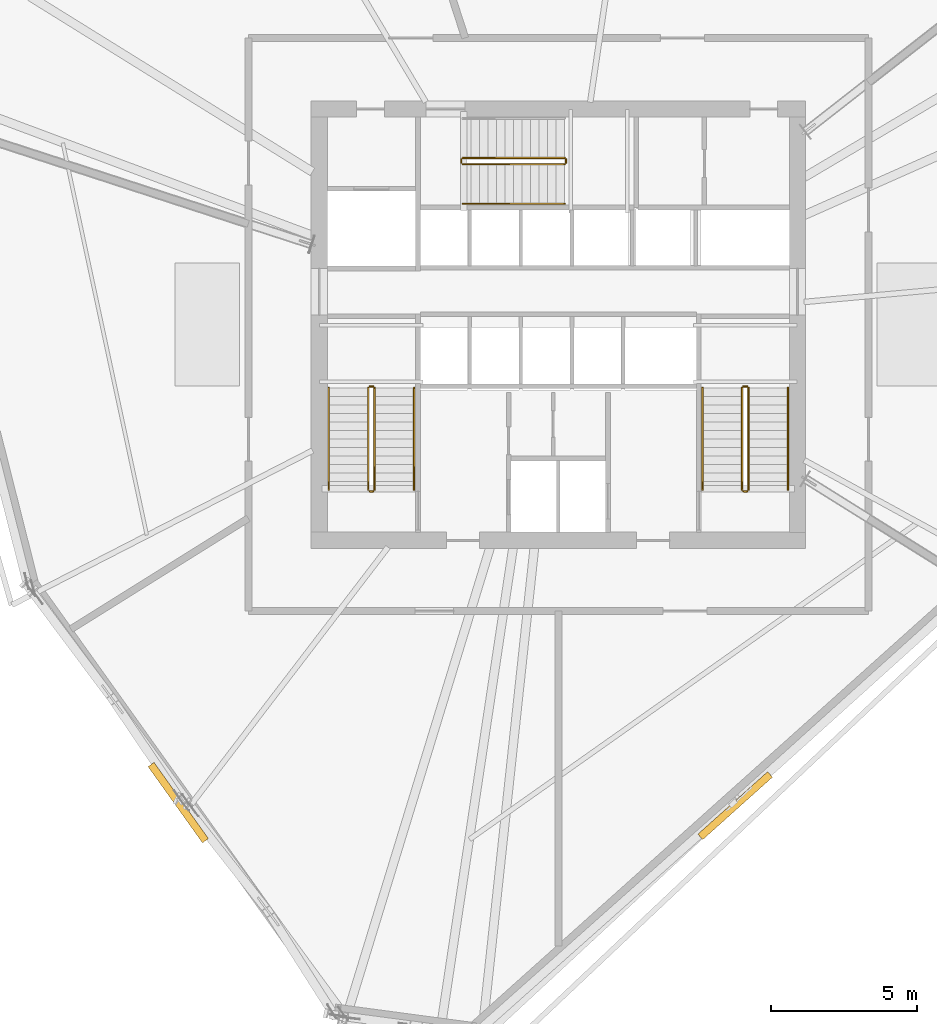
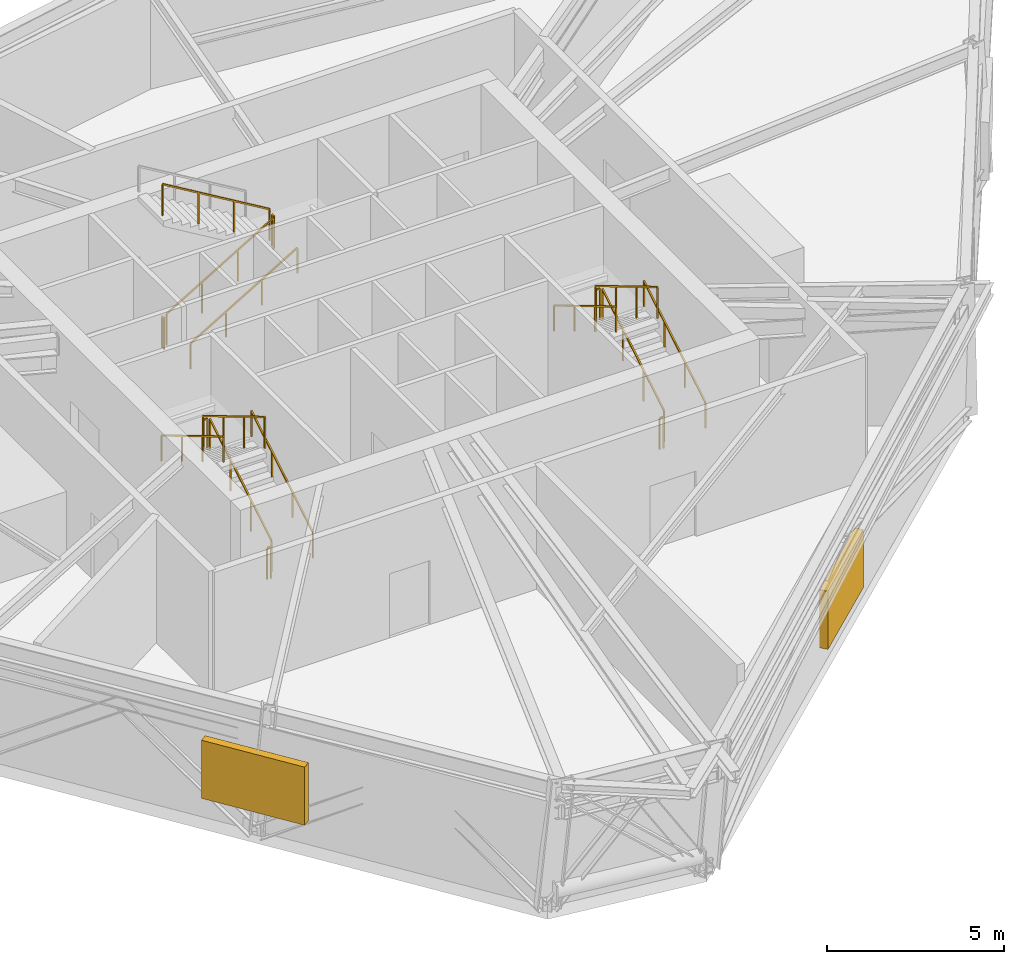
# One storey, part 12 of 14: 17 railings, 2 shading devices.
"""IFC4 building model written with IfcOpenShell, lengths in metres."""

from ifc_helpers import new_model, si_unit, direction, frame, origin, origin_2d, place, context, subcontext, project, spatial, rectangle, extrude, source, transform, mapped, material, type_object, element, save


model = new_model("IFC4")

# Units and contexts
model_context = context("Model", 3, precision=1e-05, world=origin(), true_north=direction((0.0, 1.0)))
body_context = subcontext(model_context, "Body", "Model", "MODEL_VIEW")
ifc_project = project(units=[si_unit("LENGTHUNIT", "METRE"), si_unit("AREAUNIT", "SQUARE_METRE"), si_unit("VOLUMEUNIT", "CUBIC_METRE"), si_unit("PLANEANGLEUNIT", "RADIAN"), si_unit("MASSUNIT", "GRAM", prefix="KILO")], contexts=[model_context])

# Site, building, storey
site_placement = place(None, origin())
site = spatial("IfcSite", under=ifc_project, at=site_placement, CompositionType="ELEMENT")
building_placement = place(site_placement, origin())
building = spatial("IfcBuilding", under=site, at=building_placement, Name="Olszyna Solenne Hotel", CompositionType="ELEMENT")
storey_placement = place(building_placement, frame((0.0, 0.0, 142.10009765625)))
storey = spatial("IfcBuildingStorey", under=building, at=storey_placement, Name="L37", CompositionType="ELEMENT", Elevation=142.10009765625)

# Railings
ifc_material_1 = material(Name="Anodised bronze aluminium", Category="aluminium")
railing_type_1 = type_object("IfcRailingType", Name="GR-110", PredefinedType="BALUSTRADE", material=ifc_material_1)
railing_1_placement = place(storey_placement, frame((31.719970703125, 20.949951171875, 0.173095703125)))
element("IfcRailing", 1, at=railing_1_placement, inside=storey, type_object=railing_type_1, Name="L37 ST1 stair guard 1", PredefinedType="BALUSTRADE", context=body_context, shape_type="SweptSolid", body=[
    extrude(rectangle(XDim=0.048095703125, YDim=0.048095703125, at=origin_2d()), frame((0.0, 0.0, 1.076171875), z_axis=(0.0, 0.858697190188, 0.512483302717), x_axis=(-1.0, 0.0, 0.0)), (0.0, 0.0, 1.0), 4.052734375),
    extrude(rectangle(XDim=0.0419921875, YDim=0.0419921875, at=origin_2d()), origin(), (0.0, 0.0, 1.0), 1.052001953125),
    extrude(rectangle(XDim=0.0419921875, YDim=0.0419921875, at=origin_2d()), frame((0.0, 1.159912109375, 0.6923828125)), (0.0, 0.0, 1.0), 1.052001953125),
    extrude(rectangle(XDim=0.0419921875, YDim=0.0419921875, at=origin_2d()), frame((0.0, 2.320068359375, 1.384521484375)), (0.0, 0.0, 1.0), 1.052001953125),
    extrude(rectangle(XDim=0.0419921875, YDim=0.0419921875, at=origin_2d()), frame((0.0, 3.47998046875, 2.076904296875)), (0.0, 0.0, 1.0), 1.052001953125),
])
railing_2_placement = place(storey_placement, frame((31.669921875, 24.47998046875, 2.25)))
element("IfcRailing", 2, at=railing_2_placement, inside=storey, type_object=railing_type_1, Name="L37 ST1 stair guard 2", PredefinedType="BALUSTRADE", context=body_context, shape_type="SweptSolid", body=[
    extrude(rectangle(XDim=0.048095703125, YDim=0.048095703125, at=origin_2d()), frame((0.0, 0.0, 1.076171875), z_axis=(-1.0, 0.0, 0.0), x_axis=(0.0, -1.0, 0.0)), (0.0, 0.0, 1.0), 0.119873046875),
    extrude(rectangle(XDim=0.0419921875, YDim=0.0419921875, at=origin_2d()), origin(), (0.0, 0.0, 1.0), 1.052001953125),
    extrude(rectangle(XDim=0.0419921875, YDim=0.0419921875, at=origin_2d()), frame((-0.119873046875, 0.0, 0.0)), (0.0, 0.0, 1.0), 1.052001953125),
])
railing_3_placement = place(storey_placement, frame((31.5, 24.429931640625, 2.423095703125)))
element("IfcRailing", 3, at=railing_3_placement, inside=storey, type_object=railing_type_1, Name="L37 ST1 stair guard 3", PredefinedType="BALUSTRADE", context=body_context, shape_type="SweptSolid", body=[
    extrude(rectangle(XDim=0.048095703125, YDim=0.048095703125, at=origin_2d()), frame((0.0, 0.0, 1.076171875), z_axis=(0.0, -0.858697190188, 0.512483302717), x_axis=(1.0, 0.0, 0.0)), (0.0, 0.0, 1.0), 4.052734375),
    extrude(rectangle(XDim=0.0419921875, YDim=0.0419921875, at=origin_2d()), origin(), (0.0, 0.0, 1.0), 1.052001953125),
    extrude(rectangle(XDim=0.0419921875, YDim=0.0419921875, at=origin_2d()), frame((0.0, -1.159912109375, 0.6923828125)), (0.0, 0.0, 1.0), 1.052001953125),
    extrude(rectangle(XDim=0.0419921875, YDim=0.0419921875, at=origin_2d()), frame((0.0, -2.320068359375, 1.384521484375)), (0.0, 0.0, 1.0), 1.052001953125),
    extrude(rectangle(XDim=0.0419921875, YDim=0.0419921875, at=origin_2d()), frame((0.0, -3.47998046875, 2.076904296875)), (0.0, 0.0, 1.0), 1.052001953125),
])
railing_4_placement = place(storey_placement, frame((31.669921875, 20.89990234375, 0.0)))
element("IfcRailing", 4, at=railing_4_placement, inside=storey, type_object=railing_type_1, Name="L37 ST1 stair guard 4", PredefinedType="BALUSTRADE", context=body_context, shape_type="SweptSolid", body=[
    extrude(rectangle(XDim=0.048095703125, YDim=0.048095703125, at=origin_2d()), frame((0.0, 0.0, 1.076171875), z_axis=(-1.0, 0.0, 0.0), x_axis=(0.0, -1.0, 0.0)), (0.0, 0.0, 1.0), 0.119873046875),
    extrude(rectangle(XDim=0.0419921875, YDim=0.0419921875, at=origin_2d()), origin(), (0.0, 0.0, 1.0), 1.052001953125),
    extrude(rectangle(XDim=0.0419921875, YDim=0.0419921875, at=origin_2d()), frame((-0.119873046875, 0.0, 0.0)), (0.0, 0.0, 1.0), 1.052001953125),
])
railing_5_placement = place(storey_placement, frame((44.5, 20.949951171875, 0.173095703125)))
element("IfcRailing", 5, at=railing_5_placement, inside=storey, type_object=railing_type_1, Name="L37 ST2 stair guard 1", PredefinedType="BALUSTRADE", context=body_context, shape_type="SweptSolid", body=[
    extrude(rectangle(XDim=0.048095703125, YDim=0.048095703125, at=origin_2d()), frame((0.0, 0.0, 1.076171875), z_axis=(0.0, 0.858697190188, 0.512483302717), x_axis=(-1.0, 0.0, 0.0)), (0.0, 0.0, 1.0), 4.052734375),
    extrude(rectangle(XDim=0.0419921875, YDim=0.0419921875, at=origin_2d()), origin(), (0.0, 0.0, 1.0), 1.052001953125),
    extrude(rectangle(XDim=0.0419921875, YDim=0.0419921875, at=origin_2d()), frame((0.0, 1.159912109375, 0.6923828125)), (0.0, 0.0, 1.0), 1.052001953125),
    extrude(rectangle(XDim=0.0419921875, YDim=0.0419921875, at=origin_2d()), frame((0.0, 2.320068359375, 1.384521484375)), (0.0, 0.0, 1.0), 1.052001953125),
    extrude(rectangle(XDim=0.0419921875, YDim=0.0419921875, at=origin_2d()), frame((0.0, 3.47998046875, 2.076904296875)), (0.0, 0.0, 1.0), 1.052001953125),
])
railing_6_placement = place(storey_placement, frame((44.449951171875, 24.47998046875, 2.25)))
element("IfcRailing", 6, at=railing_6_placement, inside=storey, type_object=railing_type_1, Name="L37 ST2 stair guard 2", PredefinedType="BALUSTRADE", context=body_context, shape_type="SweptSolid", body=[
    extrude(rectangle(XDim=0.048095703125, YDim=0.048095703125, at=origin_2d()), frame((0.0, 0.0, 1.076171875), z_axis=(-1.0, 0.0, 0.0), x_axis=(0.0, -1.0, 0.0)), (0.0, 0.0, 1.0), 0.119873046875),
    extrude(rectangle(XDim=0.0419921875, YDim=0.0419921875, at=origin_2d()), origin(), (0.0, 0.0, 1.0), 1.052001953125),
    extrude(rectangle(XDim=0.0419921875, YDim=0.0419921875, at=origin_2d()), frame((-0.119873046875, 0.0, 0.0)), (0.0, 0.0, 1.0), 1.052001953125),
])
railing_7_placement = place(storey_placement, frame((44.280029296875, 24.429931640625, 2.423095703125)))
element("IfcRailing", 7, at=railing_7_placement, inside=storey, type_object=railing_type_1, Name="L37 ST2 stair guard 3", PredefinedType="BALUSTRADE", context=body_context, shape_type="SweptSolid", body=[
    extrude(rectangle(XDim=0.048095703125, YDim=0.048095703125, at=origin_2d()), frame((0.0, 0.0, 1.076171875), z_axis=(0.0, -0.858697190188, 0.512483302717), x_axis=(1.0, 0.0, 0.0)), (0.0, 0.0, 1.0), 4.052734375),
    extrude(rectangle(XDim=0.0419921875, YDim=0.0419921875, at=origin_2d()), origin(), (0.0, 0.0, 1.0), 1.052001953125),
    extrude(rectangle(XDim=0.0419921875, YDim=0.0419921875, at=origin_2d()), frame((0.0, -1.159912109375, 0.6923828125)), (0.0, 0.0, 1.0), 1.052001953125),
    extrude(rectangle(XDim=0.0419921875, YDim=0.0419921875, at=origin_2d()), frame((0.0, -2.320068359375, 1.384521484375)), (0.0, 0.0, 1.0), 1.052001953125),
    extrude(rectangle(XDim=0.0419921875, YDim=0.0419921875, at=origin_2d()), frame((0.0, -3.47998046875, 2.076904296875)), (0.0, 0.0, 1.0), 1.052001953125),
])
railing_8_placement = place(storey_placement, frame((44.449951171875, 20.89990234375, 0.0)))
element("IfcRailing", 8, at=railing_8_placement, inside=storey, type_object=railing_type_1, Name="L37 ST2 stair guard 4", PredefinedType="BALUSTRADE", context=body_context, shape_type="SweptSolid", body=[
    extrude(rectangle(XDim=0.048095703125, YDim=0.048095703125, at=origin_2d()), frame((0.0, 0.0, 1.076171875), z_axis=(-1.0, 0.0, 0.0), x_axis=(0.0, -1.0, 0.0)), (0.0, 0.0, 1.0), 0.119873046875),
    extrude(rectangle(XDim=0.0419921875, YDim=0.0419921875, at=origin_2d()), origin(), (0.0, 0.0, 1.0), 1.052001953125),
    extrude(rectangle(XDim=0.0419921875, YDim=0.0419921875, at=origin_2d()), frame((-0.119873046875, 0.0, 0.0)), (0.0, 0.0, 1.0), 1.052001953125),
])
railing_9_placement = place(storey_placement, frame((34.72998046875, 32.080078125, 0.173095703125)))
element("IfcRailing", 9, at=railing_9_placement, inside=storey, type_object=railing_type_1, Name="L37 ST3 stair guard 1", PredefinedType="BALUSTRADE", context=body_context, shape_type="SweptSolid", body=[
    extrude(rectangle(XDim=0.048095703125, YDim=0.048095703125, at=origin_2d()), frame((0.0, 0.0, 1.076171875), z_axis=(0.858697190188, 0.0, 0.512483302717), x_axis=(0.0, 1.0, 0.0)), (0.0, 0.0, 1.0), 4.052734375),
    extrude(rectangle(XDim=0.0419921875, YDim=0.0419921875, at=origin_2d()), origin(), (0.0, 0.0, 1.0), 1.052001953125),
    extrude(rectangle(XDim=0.0419921875, YDim=0.0419921875, at=origin_2d()), frame((1.159912109375, 0.0, 0.6923828125)), (0.0, 0.0, 1.0), 1.052001953125),
    extrude(rectangle(XDim=0.0419921875, YDim=0.0419921875, at=origin_2d()), frame((2.320068359375, 0.0, 1.384521484375)), (0.0, 0.0, 1.0), 1.052001953125),
    extrude(rectangle(XDim=0.0419921875, YDim=0.0419921875, at=origin_2d()), frame((3.47998046875, 0.0, 2.076904296875)), (0.0, 0.0, 1.0), 1.052001953125),
])
railing_10_placement = place(storey_placement, frame((38.260009765625, 32.1298828125, 2.25)))
element("IfcRailing", 10, at=railing_10_placement, inside=storey, type_object=railing_type_1, Name="L37 ST3 stair guard 2", PredefinedType="BALUSTRADE", context=body_context, shape_type="SweptSolid", body=[
    extrude(rectangle(XDim=0.048095703125, YDim=0.048095703125, at=origin_2d()), frame((0.0, 0.0, 1.076171875), z_axis=(0.0, 1.0, 0.0), x_axis=(-1.0, 0.0, 0.0)), (0.0, 0.0, 1.0), 0.1201171875),
    extrude(rectangle(XDim=0.0419921875, YDim=0.0419921875, at=origin_2d()), origin(), (0.0, 0.0, 1.0), 1.052001953125),
    extrude(rectangle(XDim=0.0419921875, YDim=0.0419921875, at=origin_2d()), frame((0.0, 0.1201171875, 0.0)), (0.0, 0.0, 1.0), 1.052001953125),
])
railing_11_placement = place(storey_placement, frame((38.2099609375, 32.300048828125, 2.423095703125)))
element("IfcRailing", 11, at=railing_11_placement, inside=storey, type_object=railing_type_1, Name="L37 ST3 stair guard 3", PredefinedType="BALUSTRADE", context=body_context, shape_type="SweptSolid", body=[
    extrude(rectangle(XDim=0.048095703125, YDim=0.048095703125, at=origin_2d()), frame((0.0, 0.0, 1.076171875), z_axis=(-0.858697190188, 0.0, 0.512483302717), x_axis=(0.0, -1.0, 0.0)), (0.0, 0.0, 1.0), 4.052734375),
    extrude(rectangle(XDim=0.0419921875, YDim=0.0419921875, at=origin_2d()), origin(), (0.0, 0.0, 1.0), 1.052001953125),
    extrude(rectangle(XDim=0.0419921875, YDim=0.0419921875, at=origin_2d()), frame((-1.159912109375, 0.0, 0.6923828125)), (0.0, 0.0, 1.0), 1.052001953125),
    extrude(rectangle(XDim=0.0419921875, YDim=0.0419921875, at=origin_2d()), frame((-2.320068359375, 0.0, 1.384521484375)), (0.0, 0.0, 1.0), 1.052001953125),
    extrude(rectangle(XDim=0.0419921875, YDim=0.0419921875, at=origin_2d()), frame((-3.47998046875, 0.0, 2.076904296875)), (0.0, 0.0, 1.0), 1.052001953125),
])
railing_12_placement = place(storey_placement, frame((34.679931640625, 32.1298828125, 0.0)))
element("IfcRailing", 12, at=railing_12_placement, inside=storey, type_object=railing_type_1, Name="L37 ST3 stair guard 4", PredefinedType="BALUSTRADE", context=body_context, shape_type="SweptSolid", body=[
    extrude(rectangle(XDim=0.048095703125, YDim=0.048095703125, at=origin_2d()), frame((0.0, 0.0, 1.076171875), z_axis=(0.0, 1.0, 0.0), x_axis=(-1.0, 0.0, 0.0)), (0.0, 0.0, 1.0), 0.1201171875),
    extrude(rectangle(XDim=0.0419921875, YDim=0.0419921875, at=origin_2d()), origin(), (0.0, 0.0, 1.0), 1.052001953125),
    extrude(rectangle(XDim=0.0419921875, YDim=0.0419921875, at=origin_2d()), frame((0.0, 0.1201171875, 0.0)), (0.0, 0.0, 1.0), 1.052001953125),
])
ifc_material_2 = material(Name="Steel S355J2", Category="steel")
railing_type_2 = type_object("IfcRailingType", Name="HR-090", PredefinedType="HANDRAIL", material=ifc_material_2)
railing_13_placement = place(storey_placement, frame((33.070068359375, 20.949951171875, 0.173095703125)))
element("IfcRailing", 13, at=railing_13_placement, inside=storey, type_object=railing_type_2, Name="L37 ST1 stair handrail 1", PredefinedType="HANDRAIL", context=body_context, shape_type="SweptSolid", body=[
    extrude(rectangle(XDim=0.048095703125, YDim=0.048095703125, at=origin_2d()), frame((0.0, 0.0, 0.8759765625), z_axis=(0.0, 0.858697190188, 0.512483302717), x_axis=(-1.0, 0.0, 0.0)), (0.0, 0.0, 1.0), 4.052734375),
    extrude(rectangle(XDim=0.0419921875, YDim=0.0419921875, at=origin_2d()), origin(), (0.0, 0.0, 1.0), 0.851806640625),
    extrude(rectangle(XDim=0.0419921875, YDim=0.0419921875, at=origin_2d()), frame((0.0, 1.159912109375, 0.6923828125)), (0.0, 0.0, 1.0), 0.851806640625),
    extrude(rectangle(XDim=0.0419921875, YDim=0.0419921875, at=origin_2d()), frame((0.0, 2.320068359375, 1.384521484375)), (0.0, 0.0, 1.0), 0.851806640625),
    extrude(rectangle(XDim=0.0419921875, YDim=0.0419921875, at=origin_2d()), frame((0.0, 3.47998046875, 2.076904296875)), (0.0, 0.0, 1.0), 0.851806640625),
])
railing_14_placement = place(storey_placement, frame((30.14990234375, 24.429931640625, 2.423095703125)))
element("IfcRailing", 14, at=railing_14_placement, inside=storey, type_object=railing_type_2, Name="L37 ST1 stair handrail 2", PredefinedType="HANDRAIL", context=body_context, shape_type="SweptSolid", body=[
    extrude(rectangle(XDim=0.048095703125, YDim=0.048095703125, at=origin_2d()), frame((0.0, 0.0, 0.8759765625), z_axis=(0.0, -0.858697190188, 0.512483302717), x_axis=(1.0, 0.0, 0.0)), (0.0, 0.0, 1.0), 4.052734375),
    extrude(rectangle(XDim=0.0419921875, YDim=0.0419921875, at=origin_2d()), origin(), (0.0, 0.0, 1.0), 0.851806640625),
    extrude(rectangle(XDim=0.0419921875, YDim=0.0419921875, at=origin_2d()), frame((0.0, -1.159912109375, 0.6923828125)), (0.0, 0.0, 1.0), 0.851806640625),
    extrude(rectangle(XDim=0.0419921875, YDim=0.0419921875, at=origin_2d()), frame((0.0, -2.320068359375, 1.384521484375)), (0.0, 0.0, 1.0), 0.851806640625),
    extrude(rectangle(XDim=0.0419921875, YDim=0.0419921875, at=origin_2d()), frame((0.0, -3.47998046875, 2.076904296875)), (0.0, 0.0, 1.0), 0.851806640625),
])
railing_15_placement = place(storey_placement, frame((45.85009765625, 20.949951171875, 0.173095703125)))
element("IfcRailing", 15, at=railing_15_placement, inside=storey, type_object=railing_type_2, Name="L37 ST2 stair handrail 1", PredefinedType="HANDRAIL", context=body_context, shape_type="SweptSolid", body=[
    extrude(rectangle(XDim=0.048095703125, YDim=0.048095703125, at=origin_2d()), frame((0.0, 0.0, 0.8759765625), z_axis=(0.0, 0.858697190188, 0.512483302717), x_axis=(-1.0, 0.0, 0.0)), (0.0, 0.0, 1.0), 4.052734375),
    extrude(rectangle(XDim=0.0419921875, YDim=0.0419921875, at=origin_2d()), origin(), (0.0, 0.0, 1.0), 0.851806640625),
    extrude(rectangle(XDim=0.0419921875, YDim=0.0419921875, at=origin_2d()), frame((0.0, 1.159912109375, 0.6923828125)), (0.0, 0.0, 1.0), 0.851806640625),
    extrude(rectangle(XDim=0.0419921875, YDim=0.0419921875, at=origin_2d()), frame((0.0, 2.320068359375, 1.384521484375)), (0.0, 0.0, 1.0), 0.851806640625),
    extrude(rectangle(XDim=0.0419921875, YDim=0.0419921875, at=origin_2d()), frame((0.0, 3.47998046875, 2.076904296875)), (0.0, 0.0, 1.0), 0.851806640625),
])
railing_16_placement = place(storey_placement, frame((42.929931640625, 24.429931640625, 2.423095703125)))
element("IfcRailing", 16, at=railing_16_placement, inside=storey, type_object=railing_type_2, Name="L37 ST2 stair handrail 2", PredefinedType="HANDRAIL", context=body_context, shape_type="SweptSolid", body=[
    extrude(rectangle(XDim=0.048095703125, YDim=0.048095703125, at=origin_2d()), frame((0.0, 0.0, 0.8759765625), z_axis=(0.0, -0.858697190188, 0.512483302717), x_axis=(1.0, 0.0, 0.0)), (0.0, 0.0, 1.0), 4.052734375),
    extrude(rectangle(XDim=0.0419921875, YDim=0.0419921875, at=origin_2d()), origin(), (0.0, 0.0, 1.0), 0.851806640625),
    extrude(rectangle(XDim=0.0419921875, YDim=0.0419921875, at=origin_2d()), frame((0.0, -1.159912109375, 0.6923828125)), (0.0, 0.0, 1.0), 0.851806640625),
    extrude(rectangle(XDim=0.0419921875, YDim=0.0419921875, at=origin_2d()), frame((0.0, -2.320068359375, 1.384521484375)), (0.0, 0.0, 1.0), 0.851806640625),
    extrude(rectangle(XDim=0.0419921875, YDim=0.0419921875, at=origin_2d()), frame((0.0, -3.47998046875, 2.076904296875)), (0.0, 0.0, 1.0), 0.851806640625),
])
railing_17_placement = place(storey_placement, frame((34.72998046875, 30.72998046875, 0.173095703125)))
element("IfcRailing", 17, at=railing_17_placement, inside=storey, type_object=railing_type_2, Name="L37 ST3 stair handrail 1", PredefinedType="HANDRAIL", context=body_context, shape_type="SweptSolid", body=[
    extrude(rectangle(XDim=0.048095703125, YDim=0.048095703125, at=origin_2d()), frame((0.0, 0.0, 0.8759765625), z_axis=(0.858697190188, 0.0, 0.512483302717), x_axis=(0.0, 1.0, 0.0)), (0.0, 0.0, 1.0), 4.052734375),
    extrude(rectangle(XDim=0.0419921875, YDim=0.0419921875, at=origin_2d()), origin(), (0.0, 0.0, 1.0), 0.851806640625),
    extrude(rectangle(XDim=0.0419921875, YDim=0.0419921875, at=origin_2d()), frame((1.159912109375, 0.0, 0.6923828125)), (0.0, 0.0, 1.0), 0.851806640625),
    extrude(rectangle(XDim=0.0419921875, YDim=0.0419921875, at=origin_2d()), frame((2.320068359375, 0.0, 1.384521484375)), (0.0, 0.0, 1.0), 0.851806640625),
    extrude(rectangle(XDim=0.0419921875, YDim=0.0419921875, at=origin_2d()), frame((3.47998046875, 0.0, 2.076904296875)), (0.0, 0.0, 1.0), 0.851806640625),
])

# Shading devices
ifc_material_3 = material(Name="Terracotta cladding", Category="masonry")
shading_device_type = type_object("IfcShadingDeviceType", Name="SH-LV1", PredefinedType="JALOUSIE", material=ifc_material_3)
shared_shape = source(origin(), body_context, "Body", "SweptSolid", [
    extrude(rectangle(XDim=3.199951171875, YDim=0.25, at=origin_2d()), origin(), (0.0, 0.0, 1.0), 2.0),
])
for number, where, z_axis, x_axis, name in (
    (18, (44.044677734375, 10.15234375, 0.82080078125), (0.0, 0.0, 1.0), (-0.745010490606, -0.667052748205, 0.0), "Terracotta acoustic plant louvre bank LV-L37-01"),
    (19, (25.006103515625, 10.256103515625, 0.82080078125), (0.0, 0.0, 1.0), (-0.580987100252, 0.813912765191, 0.0), "Terracotta acoustic plant louvre bank LV-L37-03"),
):
    element("IfcShadingDevice", number, at=place(storey_placement, frame(where, z_axis=z_axis, x_axis=x_axis)), inside=storey, type_object=shading_device_type, Name=name, PredefinedType="JALOUSIE", context=body_context, shape_type="MappedRepresentation", body=[
        mapped(shared_shape, transform((0.0, 0.0, 0.0), x_axis=(1.0, 0.0, 0.0), y_axis=(0.0, 1.0, 0.0), z_axis=(0.0, 0.0, 1.0), scale=1.0)),
    ])

save(model, "model.ifc")
